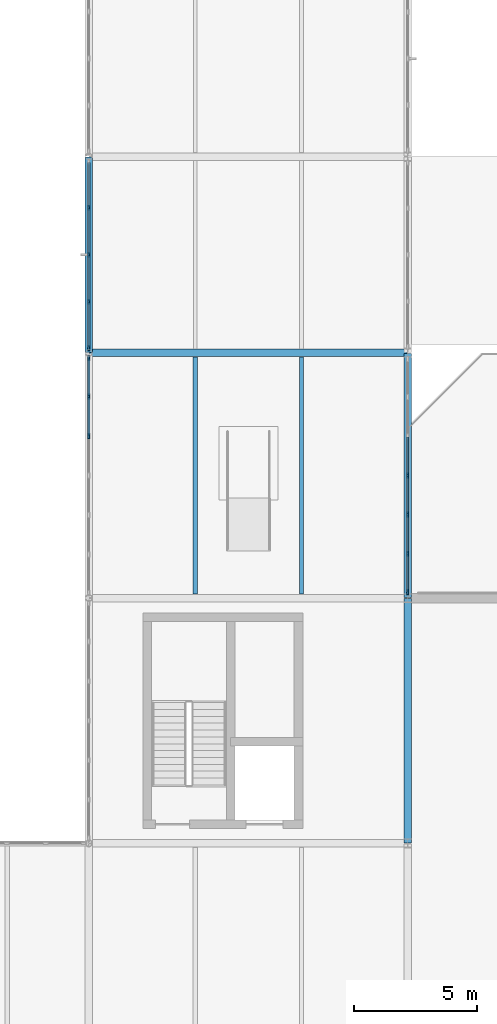
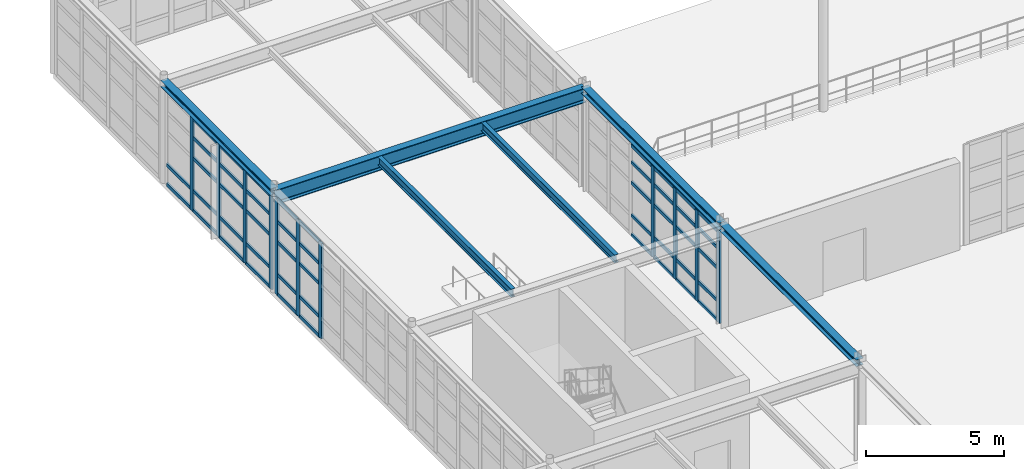
# One storey, part 50 of 139: 58 members, 6 beams, 3 elements without a shape of their own.
"""IFC4 building model written with IfcOpenShell, lengths in metres."""

import ifcopenshell
import ifcopenshell.guid

model = None  # the IFC model being written
_history = None  # IfcOwnerHistory: only IFC2X3 demands one
_inside = {}  # id of a spatial element -> (the spatial element, [elements in it])
_under = {}  # id of a project, library or spatial element -> (it, [spatial elements below it])
_declared = {}  # id of a project -> (the project, [libraries it declares])
_typed = {}  # id of a type object -> (the type object, [elements of that type])
_made_of = {}  # id of a material, layer set ... -> (it, [elements and type objects made of it])


def new_model(schema):
    """Start an empty IFC model of exactly this schema.

    Asked for "IFC4X3", IfcOpenShell would pick the latest addendum, in which some entities
    have other attributes; the version numbers below select the first issue.
    IFC2X3 requires an IfcOwnerHistory on every rooted entity: one is made here for all.
    """
    global model, _history
    if schema == "IFC4X3":
        model = ifcopenshell.file(schema_version=(4, 3, 0, 0))
    else:
        model = ifcopenshell.file(schema=schema)
    _inside.clear()
    _under.clear()
    _declared.clear()
    _typed.clear()
    _made_of.clear()
    _history = None
    if model.schema == "IFC2X3":
        org = make("IfcOrganization", Name="unknown")
        user = make(
            "IfcPersonAndOrganization",
            ThePerson=make("IfcPerson", FamilyName="unknown"),
            TheOrganization=org,
        )
        app = make(
            "IfcApplication",
            ApplicationDeveloper=org,
            Version="unknown",
            ApplicationFullName="unknown",
            ApplicationIdentifier="unknown",
        )
        _history = make(
            "IfcOwnerHistory",
            OwningUser=user,
            OwningApplication=app,
            ChangeAction="ADDED",
            CreationDate=0,
        )
    return model


def make(cls, **values):
    """One entity of the class cls with the attributes given. An attribute that is None is left unset."""
    return model.create_entity(
        cls, **{name: value for name, value in values.items() if value is not None}
    )


def rooted(cls, **values):
    """An entity with a GlobalId (a new one), such as an element, a storey or a relation."""
    return make(cls, GlobalId=ifcopenshell.guid.new(), OwnerHistory=_history, **values)


def si_unit(unit_type, name, prefix=None):
    """IfcSIUnit, for example si_unit("LENGTHUNIT", "METRE", prefix="MILLI")."""
    return make("IfcSIUnit", UnitType=unit_type, Prefix=prefix, Name=name)


def assignment(units):
    """IfcUnitAssignment: the units of a project."""
    return None if units is None else make("IfcUnitAssignment", Units=units)


def point(xyz):
    """IfcCartesianPoint."""
    return None if xyz is None else make("IfcCartesianPoint", Coordinates=xyz)


def direction(xyz):
    """IfcDirection."""
    return None if xyz is None else make("IfcDirection", DirectionRatios=xyz)


def frame(location, z_axis=None, x_axis=None):
    """IfcAxis2Placement3D, a coordinate frame: its origin and axes. An axis left out is left unset."""
    return make(
        "IfcAxis2Placement3D",
        Location=point(location),
        Axis=direction(z_axis),
        RefDirection=direction(x_axis),
    )


def frame_2d(location, x_axis=None):
    """IfcAxis2Placement2D, a coordinate frame in the plane: its origin and x axis."""
    return make(
        "IfcAxis2Placement2D", Location=point(location), RefDirection=direction(x_axis)
    )


def origin():
    """The frame at (0, 0, 0) with its axes left unset."""
    return frame((0.0, 0.0, 0.0))


def origin_2d():
    """The frame at (0, 0) in the plane with its x axis left unset."""
    return frame_2d((0.0, 0.0))


def place(relative_to, where):
    """IfcLocalPlacement: puts the frame where relative to a parent placement (None: the world)."""
    return make(
        "IfcLocalPlacement", PlacementRelTo=relative_to, RelativePlacement=where
    )


def context(
    kind, dimensions, precision=None, world=None, true_north=None, identifier=None
):
    """IfcGeometricRepresentationContext, for example the 3D "Model" context."""
    return make(
        "IfcGeometricRepresentationContext",
        ContextIdentifier=identifier,
        ContextType=kind,
        CoordinateSpaceDimension=dimensions,
        Precision=precision,
        WorldCoordinateSystem=world,
        TrueNorth=true_north,
    )


def subcontext(parent, identifier, kind, view, scale=None):
    """IfcGeometricRepresentationSubContext, for example "Body" below "Model"."""
    return make(
        "IfcGeometricRepresentationSubContext",
        ContextIdentifier=identifier,
        ContextType=kind,
        ParentContext=parent,
        TargetScale=scale,
        TargetView=view,
    )


def project(units=None, contexts=None):
    """IfcProject with its units and contexts."""
    return rooted(
        "IfcProject",
        Name="project",
        RepresentationContexts=contexts,
        UnitsInContext=assignment(units),
    )


def spatial(cls, under=None, at=None, **own):
    """A site, building, storey or space (cls), placed at a placement, below another one or the project."""
    s = rooted(cls, ObjectPlacement=at, **own)
    if under is not None:
        _under.setdefault(under.id(), (under, []))[1].append(s)
    return s


def profile(cls, at=None, kind="AREA", **sizes):
    """A parametric profile (cls). Its sizes go by their IFC names, for example OverallWidth=200.0."""
    return make(cls, ProfileType=kind, Position=at, **sizes)


def rectangle(**sizes):
    """IfcRectangleProfileDef."""
    return profile("IfcRectangleProfileDef", **sizes)


def i_section(**sizes):
    """IfcIShapeProfileDef."""
    return profile("IfcIShapeProfileDef", **sizes)


def extrude(swept, where, along, depth):
    """IfcExtrudedAreaSolid: the profile swept, set in the frame where, extruded along a direction by depth."""
    return make(
        "IfcExtrudedAreaSolid",
        SweptArea=swept,
        Position=where,
        ExtrudedDirection=direction(along),
        Depth=depth,
    )


def shape(context_of_items, identifier, shape_type, items):
    """IfcShapeRepresentation: the items that make up one representation, for example the "Body"."""
    return make(
        "IfcShapeRepresentation",
        ContextOfItems=context_of_items,
        RepresentationIdentifier=identifier,
        RepresentationType=shape_type,
        Items=items,
    )


def material(Name=None, Category=None):
    """IfcMaterial."""
    return make("IfcMaterial", Name=Name, Category=Category)


def layer(
    of_material, thickness, ventilated=None, Name=None, Category=None, Priority=None
):
    """IfcMaterialLayer: one layer of a wall or slab, of a material (None: an air gap)."""
    return make(
        "IfcMaterialLayer",
        Material=of_material,
        LayerThickness=thickness,
        IsVentilated=ventilated,
        Name=Name,
        Category=Category,
        Priority=Priority,
    )


def layer_set(layers, Name=None):
    """IfcMaterialLayerSet."""
    return make("IfcMaterialLayerSet", MaterialLayers=layers, LayerSetName=Name)


def material_profile(
    of_material, cross_section, Name=None, Category=None, Priority=None
):
    """IfcMaterialProfile: a cross section and its material."""
    return make(
        "IfcMaterialProfile",
        Name=Name,
        Material=of_material,
        Profile=cross_section,
        Priority=Priority,
        Category=Category,
    )


def profile_set(profiles, Name=None, composite=None):
    """IfcMaterialProfileSet."""
    return make(
        "IfcMaterialProfileSet",
        Name=Name,
        MaterialProfiles=profiles,
        CompositeProfile=composite,
    )


def made_of(thing, what):
    """Note that an element or type object is made of a material, layer set ...; save() writes the relation."""
    if what is not None:
        _made_of.setdefault(what.id(), (what, []))[1].append(thing)
    return thing


def type_object(cls, material=None, **own):
    """A type object (cls), such as IfcWallType, which elements share."""
    return made_of(rooted(cls, **own), material)


def element(
    cls,
    number,
    at=None,
    inside=None,
    cuts=None,
    type_object=None,
    material=None,
    context=None,
    identifier="Body",
    shape_type=None,
    held_by="IfcProductDefinitionShape",
    body=None,
    shapes=None,
    **own,
):
    """One element of the class cls, such as IfcWall. Its Tag is "e" and its number.

    at: its placement. inside: the storey or other place that contains it. cuts: it is an
    opening in that element (IfcRelVoidsElement). A single representation is given by context,
    identifier, shape_type and body (its items); several are given by shapes. held_by: the class
    of the entity that holds the representations. save() writes the other relations.
    """
    e = rooted(cls, Tag="e%d" % number, ObjectPlacement=at, **own)
    if body is not None:
        shapes = [shape(context, identifier, shape_type, body)]
    if shapes is not None:
        e.Representation = make(held_by, Representations=shapes)
    if inside is not None:
        _inside.setdefault(inside.id(), (inside, []))[1].append(e)
    if cuts is not None:
        rooted(
            "IfcRelVoidsElement", RelatingBuildingElement=cuts, RelatedOpeningElement=e
        )
    if type_object is not None:
        _typed.setdefault(type_object.id(), (type_object, []))[1].append(e)
    return made_of(e, material)


def aggregate(whole, parts):
    """IfcRelAggregates: a whole, such as a stair, and the parts it consists of."""
    return rooted("IfcRelAggregates", RelatingObject=whole, RelatedObjects=parts)


def save(model, path):
    """Write the relations noted so far, then the file.

    IfcRelAggregates (storeys below a building ...), IfcRelContainedInSpatialStructure (elements
    in a storey), IfcRelDefinesByType, IfcRelAssociatesMaterial and IfcRelDeclares: one each for
    every whole, place, type object, material and project.
    """
    for whole, parts in _under.values():
        aggregate(whole, parts)
    for where, things in _inside.values():
        rooted(
            "IfcRelContainedInSpatialStructure",
            RelatedElements=things,
            RelatingStructure=where,
        )
    for kind, things in _typed.values():
        rooted("IfcRelDefinesByType", RelatedObjects=things, RelatingType=kind)
    for what, things in _made_of.values():
        rooted("IfcRelAssociatesMaterial", RelatedObjects=things, RelatingMaterial=what)
    for by, libraries in _declared.values():
        rooted("IfcRelDeclares", RelatingContext=by, RelatedDefinitions=libraries)
    model.write(path)


model = new_model("IFC4")

# Units and contexts
model_context = context("Model", 3, precision=1e-05, world=origin(), true_north=direction((0.0, 1.0)))
body_context = subcontext(model_context, "Body", "Model", "MODEL_VIEW")
ifc_project = project(units=[si_unit("LENGTHUNIT", "METRE"), si_unit("AREAUNIT", "SQUARE_METRE"), si_unit("VOLUMEUNIT", "CUBIC_METRE"), si_unit("PLANEANGLEUNIT", "RADIAN"), si_unit("MASSUNIT", "GRAM", prefix="KILO"), si_unit("THERMODYNAMICTEMPERATUREUNIT", "KELVIN"), si_unit("POWERUNIT", "WATT")], contexts=[model_context])

# Site, building, storey
site_placement = place(None, origin())
site = spatial("IfcSite", under=ifc_project, at=site_placement, CompositionType="ELEMENT")
building_placement = place(site_placement, origin())
building = spatial("IfcBuilding", under=site, at=building_placement, Name="Korenveer Ferry Terminal", CompositionType="ELEMENT")
storey_placement = place(building_placement, frame((0.0, 0.0, 5.39990234375)))
storey = spatial("IfcBuildingStorey", under=building, at=storey_placement, Name="L01", CompositionType="ELEMENT", Elevation=5.39990234375)

# Curtain wall, members
ifc_material_1 = material(Name="Unitised bronze-and-glass curtain wall", Category="glass")
ifc_layer_1 = layer(ifc_material_1, 0.219970703125)
ifc_layer_set_1 = layer_set([ifc_layer_1], Name="Unitised bronze-and-glass curtain wall")
curtain_wall_type_1 = type_object("IfcCurtainWallType", Name="ENV-CW-65", PredefinedType="USERDEFINED", material=ifc_layer_set_1)
curtain_wall_1_placement = place(storey_placement, frame((40.0, 90.16650390625, 0.0)))
curtain_wall_1 = element("IfcCurtainWall", 1, at=curtain_wall_1_placement, inside=storey, type_object=curtain_wall_type_1, Name="Lancet curtain wall CWX-L01-X40-40-Y90-100", ObjectType="UNITISED CURTAIN WALL", PredefinedType="USERDEFINED")
ifc_material_2 = material(Name="Anodised bronze aluminium", Category="aluminium")
ifc_material_profile_1 = material_profile(ifc_material_2, rectangle(XDim=0.074951171875, YDim=0.219970703125, at=origin_2d()), Name="ALU 75x220")
ifc_profile_set_1 = profile_set([ifc_material_profile_1], Name="Anodised bronze aluminium")
member_type_1 = type_object("IfcMemberType", Name="ENV-CWM-75X220", PredefinedType="MULLION", material=ifc_profile_set_1)
member_1_placement = place(storey_placement, frame((40.0, 96.611083984375, 0.0), z_axis=(0.0, 0.0, 1.0), x_axis=(-1.0, 0.0, 0.0)))
member_1 = element("IfcMember", 2, at=member_1_placement, type_object=member_type_1, Name="CW-65 mullion 5", PredefinedType="MULLION", context=body_context, shape_type="SweptSolid", body=[
    extrude(rectangle(XDim=0.074951171875, YDim=0.219970703125, at=origin_2d()), origin(), (0.0, 0.0, 1.0), 4.22998046875),
])
member_2_placement = place(storey_placement, frame((40.0, 98.222412109375, 0.0), z_axis=(0.0, 0.0, 1.0), x_axis=(-1.0, 0.0, 0.0)))
member_2 = element("IfcMember", 3, at=member_2_placement, type_object=member_type_1, Name="CW-65 mullion 6", PredefinedType="MULLION", context=body_context, shape_type="SweptSolid", body=[
    extrude(rectangle(XDim=0.074951171875, YDim=0.219970703125, at=origin_2d()), origin(), (0.0, 0.0, 1.0), 4.22998046875),
])
member_3_placement = place(storey_placement, frame((40.0, 99.7958984375, 0.0), z_axis=(0.0, 0.0, 1.0), x_axis=(-1.0, 0.0, 0.0)))
member_3 = element("IfcMember", 4, at=member_3_placement, type_object=member_type_1, Name="CW-65 mullion 7", PredefinedType="MULLION", context=body_context, shape_type="SweptSolid", body=[
    extrude(rectangle(XDim=0.074951171875, YDim=0.219970703125, at=origin_2d()), origin(), (0.0, 0.0, 1.0), 4.22998046875),
])

ifc_layer_2 = layer(ifc_material_1, 0.219970703125)
ifc_layer_set_2 = layer_set([ifc_layer_2], Name="Unitised bronze-and-glass curtain wall")
curtain_wall_type_2 = type_object("IfcCurtainWallType", Name="ENV-CW-66", PredefinedType="USERDEFINED", material=ifc_layer_set_2)
curtain_wall_2_placement = place(storey_placement, frame((40.0, 100.16650390625, 0.0)))
curtain_wall_2 = element("IfcCurtainWall", 5, at=curtain_wall_2_placement, inside=storey, type_object=curtain_wall_type_2, Name="Lancet curtain wall CWX-L01-X40-40-Y100-108", ObjectType="UNITISED CURTAIN WALL", PredefinedType="USERDEFINED")
member_4_placement = place(storey_placement, frame((40.0, 100.2041015625, 0.0), z_axis=(0.0, 0.0, 1.0), x_axis=(-1.0, 0.0, 0.0)))
member_4 = element("IfcMember", 6, at=member_4_placement, type_object=member_type_1, Name="CW-66 mullion 1", PredefinedType="MULLION", context=body_context, shape_type="SweptSolid", body=[
    extrude(rectangle(XDim=0.074951171875, YDim=0.219970703125, at=origin_2d()), origin(), (0.0, 0.0, 1.0), 4.130126953125),
])
member_5_placement = place(storey_placement, frame((40.0, 102.083251953125, 0.0), z_axis=(0.0, 0.0, 1.0), x_axis=(-1.0, 0.0, 0.0)))
member_5 = element("IfcMember", 7, at=member_5_placement, type_object=member_type_1, Name="CW-66 mullion 2", PredefinedType="MULLION", context=body_context, shape_type="SweptSolid", body=[
    extrude(rectangle(XDim=0.074951171875, YDim=0.219970703125, at=origin_2d()), origin(), (0.0, 0.0, 1.0), 4.130126953125),
])
member_6_placement = place(storey_placement, frame((40.0, 104.0, 0.0), z_axis=(0.0, 0.0, 1.0), x_axis=(-1.0, 0.0, 0.0)))
member_6 = element("IfcMember", 8, at=member_6_placement, type_object=member_type_1, Name="CW-66 mullion 3", PredefinedType="MULLION", context=body_context, shape_type="SweptSolid", body=[
    extrude(rectangle(XDim=0.074951171875, YDim=0.219970703125, at=origin_2d()), origin(), (0.0, 0.0, 1.0), 4.130126953125),
])
member_7_placement = place(storey_placement, frame((40.0, 105.916748046875, 0.0), z_axis=(0.0, 0.0, 1.0), x_axis=(-1.0, 0.0, 0.0)))
member_7 = element("IfcMember", 9, at=member_7_placement, type_object=member_type_1, Name="CW-66 mullion 4", PredefinedType="MULLION", context=body_context, shape_type="SweptSolid", body=[
    extrude(rectangle(XDim=0.074951171875, YDim=0.219970703125, at=origin_2d()), origin(), (0.0, 0.0, 1.0), 4.130126953125),
])

ifc_layer_3 = layer(ifc_material_1, 0.219970703125)
ifc_layer_set_3 = layer_set([ifc_layer_3], Name="Unitised bronze-and-glass curtain wall")
curtain_wall_type_3 = type_object("IfcCurtainWallType", Name="ENV-CW-70", PredefinedType="USERDEFINED", material=ifc_layer_set_3)
curtain_wall_3_placement = place(storey_placement, frame((53.0, 99.7900390625, 0.0)))
curtain_wall_3 = element("IfcCurtainWall", 10, at=curtain_wall_3_placement, inside=storey, type_object=curtain_wall_type_3, Name="Lancet curtain wall CWX-L01-X53-53-Y90-100", ObjectType="UNITISED CURTAIN WALL", PredefinedType="USERDEFINED")
member_8_placement = place(storey_placement, frame((53.0, 95.0, 0.0), z_axis=(0.0, 0.0, 1.0), x_axis=(1.0, 0.0, 0.0)))
member_8 = element("IfcMember", 11, at=member_8_placement, type_object=member_type_1, Name="CW-70 mullion 4", PredefinedType="MULLION", context=body_context, shape_type="SweptSolid", body=[
    extrude(rectangle(XDim=0.074951171875, YDim=0.219970703125, at=origin_2d()), origin(), (0.0, 0.0, 1.0), 4.030029296875),
])
member_9_placement = place(storey_placement, frame((53.0, 93.4033203125, 0.0), z_axis=(0.0, 0.0, 1.0), x_axis=(1.0, 0.0, 0.0)))
member_9 = element("IfcMember", 12, at=member_9_placement, type_object=member_type_1, Name="CW-70 mullion 5", PredefinedType="MULLION", context=body_context, shape_type="SweptSolid", body=[
    extrude(rectangle(XDim=0.074951171875, YDim=0.219970703125, at=origin_2d()), origin(), (0.0, 0.0, 1.0), 4.030029296875),
])
member_10_placement = place(storey_placement, frame((53.0, 91.806640625, 0.0), z_axis=(0.0, 0.0, 1.0), x_axis=(1.0, 0.0, 0.0)))
member_10 = element("IfcMember", 13, at=member_10_placement, type_object=member_type_1, Name="CW-70 mullion 6", PredefinedType="MULLION", context=body_context, shape_type="SweptSolid", body=[
    extrude(rectangle(XDim=0.074951171875, YDim=0.219970703125, at=origin_2d()), origin(), (0.0, 0.0, 1.0), 4.030029296875),
])
member_11_placement = place(storey_placement, frame((53.0, 90.24755859375, 0.0), z_axis=(0.0, 0.0, 1.0), x_axis=(1.0, 0.0, 0.0)))
member_11 = element("IfcMember", 14, at=member_11_placement, type_object=member_type_1, Name="CW-70 mullion 7", PredefinedType="MULLION", context=body_context, shape_type="SweptSolid", body=[
    extrude(rectangle(XDim=0.074951171875, YDim=0.219970703125, at=origin_2d()), origin(), (0.0, 0.0, 1.0), 4.030029296875),
])

# Member
ifc_material_profile_2 = material_profile(ifc_material_2, rectangle(XDim=0.074951171875, YDim=0.14990234375, at=origin_2d()), Name="ALU 75x150")
ifc_profile_set_2 = profile_set([ifc_material_profile_2], Name="Anodised bronze aluminium")
member_type_2 = type_object("IfcMemberType", Name="ENV-CWT-75X150", PredefinedType="USERDEFINED", material=ifc_profile_set_2)
member_12_placement = place(storey_placement, frame((40.0, 96.648681640625, 0.03759765625), z_axis=(0.0, 1.0, 0.0), x_axis=(-1.0, 0.0, 0.0)))
member_12 = element("IfcMember", 15, at=member_12_placement, type_object=member_type_2, Name="CW-65 transom 5.1", ObjectType="TRANSOM", PredefinedType="USERDEFINED", context=body_context, shape_type="SweptSolid", body=[
    extrude(rectangle(XDim=0.074951171875, YDim=0.14990234375, at=origin_2d()), origin(), (0.0, 0.0, 1.0), 1.5361328125),
])

member_13_placement = place(storey_placement, frame((40.0, 96.648681640625, 0.900146484375), z_axis=(0.0, 1.0, 0.0), x_axis=(-1.0, 0.0, 0.0)))
member_13 = element("IfcMember", 16, at=member_13_placement, type_object=member_type_2, Name="CW-65 transom 5.2", ObjectType="TRANSOM", PredefinedType="USERDEFINED", context=body_context, shape_type="SweptSolid", body=[
    extrude(rectangle(XDim=0.074951171875, YDim=0.14990234375, at=origin_2d()), origin(), (0.0, 0.0, 1.0), 1.5361328125),
])

member_14_placement = place(storey_placement, frame((40.0, 96.648681640625, 2.35009765625), z_axis=(0.0, 1.0, 0.0), x_axis=(-1.0, 0.0, 0.0)))
member_14 = element("IfcMember", 17, at=member_14_placement, type_object=member_type_2, Name="CW-65 transom 5.3", ObjectType="TRANSOM", PredefinedType="USERDEFINED", context=body_context, shape_type="SweptSolid", body=[
    extrude(rectangle(XDim=0.074951171875, YDim=0.14990234375, at=origin_2d()), origin(), (0.0, 0.0, 1.0), 1.5361328125),
])

member_15_placement = place(storey_placement, frame((40.0, 96.648681640625, 3.25), z_axis=(0.0, 1.0, 0.0), x_axis=(-1.0, 0.0, 0.0)))
member_15 = element("IfcMember", 18, at=member_15_placement, type_object=member_type_2, Name="CW-65 transom 5.4", ObjectType="TRANSOM", PredefinedType="USERDEFINED", context=body_context, shape_type="SweptSolid", body=[
    extrude(rectangle(XDim=0.074951171875, YDim=0.14990234375, at=origin_2d()), origin(), (0.0, 0.0, 1.0), 1.5361328125),
])

member_16_placement = place(storey_placement, frame((40.0, 96.648681640625, 4.192626953125), z_axis=(0.0, 1.0, 0.0), x_axis=(-1.0, 0.0, 0.0)))
member_16 = element("IfcMember", 19, at=member_16_placement, type_object=member_type_2, Name="CW-65 transom 5.5", ObjectType="TRANSOM", PredefinedType="USERDEFINED", context=body_context, shape_type="SweptSolid", body=[
    extrude(rectangle(XDim=0.074951171875, YDim=0.14990234375, at=origin_2d()), origin(), (0.0, 0.0, 1.0), 1.5361328125),
])

member_17_placement = place(storey_placement, frame((40.0, 98.259765625, 0.03759765625), z_axis=(0.0, 1.0, 0.0), x_axis=(-1.0, 0.0, 0.0)))
member_17 = element("IfcMember", 20, at=member_17_placement, type_object=member_type_2, Name="CW-65 transom 6.1", ObjectType="TRANSOM", PredefinedType="USERDEFINED", context=body_context, shape_type="SweptSolid", body=[
    extrude(rectangle(XDim=0.074951171875, YDim=0.14990234375, at=origin_2d()), origin(), (0.0, 0.0, 1.0), 1.498779296875),
])

member_18_placement = place(storey_placement, frame((40.0, 98.259765625, 0.900146484375), z_axis=(0.0, 1.0, 0.0), x_axis=(-1.0, 0.0, 0.0)))
member_18 = element("IfcMember", 21, at=member_18_placement, type_object=member_type_2, Name="CW-65 transom 6.2", ObjectType="TRANSOM", PredefinedType="USERDEFINED", context=body_context, shape_type="SweptSolid", body=[
    extrude(rectangle(XDim=0.074951171875, YDim=0.14990234375, at=origin_2d()), origin(), (0.0, 0.0, 1.0), 1.498779296875),
])

member_19_placement = place(storey_placement, frame((40.0, 98.259765625, 2.35009765625), z_axis=(0.0, 1.0, 0.0), x_axis=(-1.0, 0.0, 0.0)))
member_19 = element("IfcMember", 22, at=member_19_placement, type_object=member_type_2, Name="CW-65 transom 6.3", ObjectType="TRANSOM", PredefinedType="USERDEFINED", context=body_context, shape_type="SweptSolid", body=[
    extrude(rectangle(XDim=0.074951171875, YDim=0.14990234375, at=origin_2d()), origin(), (0.0, 0.0, 1.0), 1.498779296875),
])

member_20_placement = place(storey_placement, frame((40.0, 98.259765625, 3.25), z_axis=(0.0, 1.0, 0.0), x_axis=(-1.0, 0.0, 0.0)))
member_20 = element("IfcMember", 23, at=member_20_placement, type_object=member_type_2, Name="CW-65 transom 6.4", ObjectType="TRANSOM", PredefinedType="USERDEFINED", context=body_context, shape_type="SweptSolid", body=[
    extrude(rectangle(XDim=0.074951171875, YDim=0.14990234375, at=origin_2d()), origin(), (0.0, 0.0, 1.0), 1.498779296875),
])

member_21_placement = place(storey_placement, frame((40.0, 98.259765625, 4.192626953125), z_axis=(0.0, 1.0, 0.0), x_axis=(-1.0, 0.0, 0.0)))
member_21 = element("IfcMember", 24, at=member_21_placement, type_object=member_type_2, Name="CW-65 transom 6.5", ObjectType="TRANSOM", PredefinedType="USERDEFINED", context=body_context, shape_type="SweptSolid", body=[
    extrude(rectangle(XDim=0.074951171875, YDim=0.14990234375, at=origin_2d()), origin(), (0.0, 0.0, 1.0), 1.498779296875),
])

aggregate(curtain_wall_1, [member_1, member_2, member_3, member_12, member_13, member_14, member_15, member_16, member_17, member_18, member_19, member_20, member_21])

member_22_placement = place(storey_placement, frame((40.0, 100.241455078125, 0.03759765625), z_axis=(0.0, 1.0, 0.0), x_axis=(-1.0, 0.0, 0.0)))
member_22 = element("IfcMember", 25, at=member_22_placement, type_object=member_type_2, Name="CW-66 transom 1.1", ObjectType="TRANSOM", PredefinedType="USERDEFINED", context=body_context, shape_type="SweptSolid", body=[
    extrude(rectangle(XDim=0.074951171875, YDim=0.14990234375, at=origin_2d()), origin(), (0.0, 0.0, 1.0), 1.80419921875),
])

member_23_placement = place(storey_placement, frame((40.0, 100.241455078125, 0.900146484375), z_axis=(0.0, 1.0, 0.0), x_axis=(-1.0, 0.0, 0.0)))
member_23 = element("IfcMember", 26, at=member_23_placement, type_object=member_type_2, Name="CW-66 transom 1.2", ObjectType="TRANSOM", PredefinedType="USERDEFINED", context=body_context, shape_type="SweptSolid", body=[
    extrude(rectangle(XDim=0.074951171875, YDim=0.14990234375, at=origin_2d()), origin(), (0.0, 0.0, 1.0), 1.80419921875),
])

member_24_placement = place(storey_placement, frame((40.0, 100.241455078125, 2.35009765625), z_axis=(0.0, 1.0, 0.0), x_axis=(-1.0, 0.0, 0.0)))
member_24 = element("IfcMember", 27, at=member_24_placement, type_object=member_type_2, Name="CW-66 transom 1.3", ObjectType="TRANSOM", PredefinedType="USERDEFINED", context=body_context, shape_type="SweptSolid", body=[
    extrude(rectangle(XDim=0.074951171875, YDim=0.14990234375, at=origin_2d()), origin(), (0.0, 0.0, 1.0), 1.80419921875),
])

member_25_placement = place(storey_placement, frame((40.0, 100.241455078125, 3.25), z_axis=(0.0, 1.0, 0.0), x_axis=(-1.0, 0.0, 0.0)))
member_25 = element("IfcMember", 28, at=member_25_placement, type_object=member_type_2, Name="CW-66 transom 1.4", ObjectType="TRANSOM", PredefinedType="USERDEFINED", context=body_context, shape_type="SweptSolid", body=[
    extrude(rectangle(XDim=0.074951171875, YDim=0.14990234375, at=origin_2d()), origin(), (0.0, 0.0, 1.0), 1.80419921875),
])

member_26_placement = place(storey_placement, frame((40.0, 100.241455078125, 4.092529296875), z_axis=(0.0, 1.0, 0.0), x_axis=(-1.0, 0.0, 0.0)))
member_26 = element("IfcMember", 29, at=member_26_placement, type_object=member_type_2, Name="CW-66 transom 1.5", ObjectType="TRANSOM", PredefinedType="USERDEFINED", context=body_context, shape_type="SweptSolid", body=[
    extrude(rectangle(XDim=0.074951171875, YDim=0.14990234375, at=origin_2d()), origin(), (0.0, 0.0, 1.0), 1.80419921875),
])

member_27_placement = place(storey_placement, frame((40.0, 102.120849609375, 0.03759765625), z_axis=(0.0, 1.0, 0.0), x_axis=(-1.0, 0.0, 0.0)))
member_27 = element("IfcMember", 30, at=member_27_placement, type_object=member_type_2, Name="CW-66 transom 2.1", ObjectType="TRANSOM", PredefinedType="USERDEFINED", context=body_context, shape_type="SweptSolid", body=[
    extrude(rectangle(XDim=0.074951171875, YDim=0.14990234375, at=origin_2d()), origin(), (0.0, 0.0, 1.0), 1.841552734375),
])

member_28_placement = place(storey_placement, frame((40.0, 102.120849609375, 0.900146484375), z_axis=(0.0, 1.0, 0.0), x_axis=(-1.0, 0.0, 0.0)))
member_28 = element("IfcMember", 31, at=member_28_placement, type_object=member_type_2, Name="CW-66 transom 2.2", ObjectType="TRANSOM", PredefinedType="USERDEFINED", context=body_context, shape_type="SweptSolid", body=[
    extrude(rectangle(XDim=0.074951171875, YDim=0.14990234375, at=origin_2d()), origin(), (0.0, 0.0, 1.0), 1.841552734375),
])

member_29_placement = place(storey_placement, frame((40.0, 102.120849609375, 2.35009765625), z_axis=(0.0, 1.0, 0.0), x_axis=(-1.0, 0.0, 0.0)))
member_29 = element("IfcMember", 32, at=member_29_placement, type_object=member_type_2, Name="CW-66 transom 2.3", ObjectType="TRANSOM", PredefinedType="USERDEFINED", context=body_context, shape_type="SweptSolid", body=[
    extrude(rectangle(XDim=0.074951171875, YDim=0.14990234375, at=origin_2d()), origin(), (0.0, 0.0, 1.0), 1.841552734375),
])

member_30_placement = place(storey_placement, frame((40.0, 102.120849609375, 3.25), z_axis=(0.0, 1.0, 0.0), x_axis=(-1.0, 0.0, 0.0)))
member_30 = element("IfcMember", 33, at=member_30_placement, type_object=member_type_2, Name="CW-66 transom 2.4", ObjectType="TRANSOM", PredefinedType="USERDEFINED", context=body_context, shape_type="SweptSolid", body=[
    extrude(rectangle(XDim=0.074951171875, YDim=0.14990234375, at=origin_2d()), origin(), (0.0, 0.0, 1.0), 1.841552734375),
])

member_31_placement = place(storey_placement, frame((40.0, 102.120849609375, 4.092529296875), z_axis=(0.0, 1.0, 0.0), x_axis=(-1.0, 0.0, 0.0)))
member_31 = element("IfcMember", 34, at=member_31_placement, type_object=member_type_2, Name="CW-66 transom 2.5", ObjectType="TRANSOM", PredefinedType="USERDEFINED", context=body_context, shape_type="SweptSolid", body=[
    extrude(rectangle(XDim=0.074951171875, YDim=0.14990234375, at=origin_2d()), origin(), (0.0, 0.0, 1.0), 1.841552734375),
])

member_32_placement = place(storey_placement, frame((40.0, 104.03759765625, 0.03759765625), z_axis=(0.0, 1.0, 0.0), x_axis=(-1.0, 0.0, 0.0)))
member_32 = element("IfcMember", 35, at=member_32_placement, type_object=member_type_2, Name="CW-66 transom 3.1", ObjectType="TRANSOM", PredefinedType="USERDEFINED", context=body_context, shape_type="SweptSolid", body=[
    extrude(rectangle(XDim=0.074951171875, YDim=0.14990234375, at=origin_2d()), origin(), (0.0, 0.0, 1.0), 1.841552734375),
])

member_33_placement = place(storey_placement, frame((40.0, 104.03759765625, 0.900146484375), z_axis=(0.0, 1.0, 0.0), x_axis=(-1.0, 0.0, 0.0)))
member_33 = element("IfcMember", 36, at=member_33_placement, type_object=member_type_2, Name="CW-66 transom 3.2", ObjectType="TRANSOM", PredefinedType="USERDEFINED", context=body_context, shape_type="SweptSolid", body=[
    extrude(rectangle(XDim=0.074951171875, YDim=0.14990234375, at=origin_2d()), origin(), (0.0, 0.0, 1.0), 1.841552734375),
])

member_34_placement = place(storey_placement, frame((40.0, 104.03759765625, 2.35009765625), z_axis=(0.0, 1.0, 0.0), x_axis=(-1.0, 0.0, 0.0)))
member_34 = element("IfcMember", 37, at=member_34_placement, type_object=member_type_2, Name="CW-66 transom 3.3", ObjectType="TRANSOM", PredefinedType="USERDEFINED", context=body_context, shape_type="SweptSolid", body=[
    extrude(rectangle(XDim=0.074951171875, YDim=0.14990234375, at=origin_2d()), origin(), (0.0, 0.0, 1.0), 1.841552734375),
])

member_35_placement = place(storey_placement, frame((40.0, 104.03759765625, 3.25), z_axis=(0.0, 1.0, 0.0), x_axis=(-1.0, 0.0, 0.0)))
member_35 = element("IfcMember", 38, at=member_35_placement, type_object=member_type_2, Name="CW-66 transom 3.4", ObjectType="TRANSOM", PredefinedType="USERDEFINED", context=body_context, shape_type="SweptSolid", body=[
    extrude(rectangle(XDim=0.074951171875, YDim=0.14990234375, at=origin_2d()), origin(), (0.0, 0.0, 1.0), 1.841552734375),
])

member_36_placement = place(storey_placement, frame((40.0, 104.03759765625, 4.092529296875), z_axis=(0.0, 1.0, 0.0), x_axis=(-1.0, 0.0, 0.0)))
member_36 = element("IfcMember", 39, at=member_36_placement, type_object=member_type_2, Name="CW-66 transom 3.5", ObjectType="TRANSOM", PredefinedType="USERDEFINED", context=body_context, shape_type="SweptSolid", body=[
    extrude(rectangle(XDim=0.074951171875, YDim=0.14990234375, at=origin_2d()), origin(), (0.0, 0.0, 1.0), 1.841552734375),
])

member_37_placement = place(storey_placement, frame((40.0, 105.954345703125, 0.03759765625), z_axis=(0.0, 1.0, 0.0), x_axis=(-1.0, 0.0, 0.0)))
member_37 = element("IfcMember", 40, at=member_37_placement, type_object=member_type_2, Name="CW-66 transom 4.1", ObjectType="TRANSOM", PredefinedType="USERDEFINED", context=body_context, shape_type="SweptSolid", body=[
    extrude(rectangle(XDim=0.074951171875, YDim=0.14990234375, at=origin_2d()), origin(), (0.0, 0.0, 1.0), 1.80419921875),
])

member_38_placement = place(storey_placement, frame((40.0, 105.954345703125, 0.900146484375), z_axis=(0.0, 1.0, 0.0), x_axis=(-1.0, 0.0, 0.0)))
member_38 = element("IfcMember", 41, at=member_38_placement, type_object=member_type_2, Name="CW-66 transom 4.2", ObjectType="TRANSOM", PredefinedType="USERDEFINED", context=body_context, shape_type="SweptSolid", body=[
    extrude(rectangle(XDim=0.074951171875, YDim=0.14990234375, at=origin_2d()), origin(), (0.0, 0.0, 1.0), 1.80419921875),
])

aggregate(curtain_wall_2, [member_4, member_5, member_6, member_7, member_22, member_23, member_24, member_25, member_26, member_27, member_28, member_29, member_30, member_31, member_32, member_33, member_34, member_35, member_36, member_37, member_38])

member_39_placement = place(storey_placement, frame((53.0, 96.55908203125, 0.03759765625), z_axis=(0.0, -1.0, 0.0), x_axis=(1.0, 0.0, 0.0)))
member_39 = element("IfcMember", 42, at=member_39_placement, type_object=member_type_2, Name="CW-70 transom 3.1", ObjectType="TRANSOM", PredefinedType="USERDEFINED", context=body_context, shape_type="SweptSolid", body=[
    extrude(rectangle(XDim=0.074951171875, YDim=0.14990234375, at=origin_2d()), origin(), (0.0, 0.0, 1.0), 1.521484375),
])

member_40_placement = place(storey_placement, frame((53.0, 96.55908203125, 0.900146484375), z_axis=(0.0, -1.0, 0.0), x_axis=(1.0, 0.0, 0.0)))
member_40 = element("IfcMember", 43, at=member_40_placement, type_object=member_type_2, Name="CW-70 transom 3.2", ObjectType="TRANSOM", PredefinedType="USERDEFINED", context=body_context, shape_type="SweptSolid", body=[
    extrude(rectangle(XDim=0.074951171875, YDim=0.14990234375, at=origin_2d()), origin(), (0.0, 0.0, 1.0), 1.521484375),
])

member_41_placement = place(storey_placement, frame((53.0, 96.55908203125, 2.35009765625), z_axis=(0.0, -1.0, 0.0), x_axis=(1.0, 0.0, 0.0)))
member_41 = element("IfcMember", 44, at=member_41_placement, type_object=member_type_2, Name="CW-70 transom 3.3", ObjectType="TRANSOM", PredefinedType="USERDEFINED", context=body_context, shape_type="SweptSolid", body=[
    extrude(rectangle(XDim=0.074951171875, YDim=0.14990234375, at=origin_2d()), origin(), (0.0, 0.0, 1.0), 1.521484375),
])

member_42_placement = place(storey_placement, frame((53.0, 96.55908203125, 3.25), z_axis=(0.0, -1.0, 0.0), x_axis=(1.0, 0.0, 0.0)))
member_42 = element("IfcMember", 45, at=member_42_placement, type_object=member_type_2, Name="CW-70 transom 3.4", ObjectType="TRANSOM", PredefinedType="USERDEFINED", context=body_context, shape_type="SweptSolid", body=[
    extrude(rectangle(XDim=0.074951171875, YDim=0.14990234375, at=origin_2d()), origin(), (0.0, 0.0, 1.0), 1.521484375),
])

member_43_placement = place(storey_placement, frame((53.0, 96.55908203125, 3.99267578125), z_axis=(0.0, -1.0, 0.0), x_axis=(1.0, 0.0, 0.0)))
member_43 = element("IfcMember", 46, at=member_43_placement, type_object=member_type_2, Name="CW-70 transom 3.5", ObjectType="TRANSOM", PredefinedType="USERDEFINED", context=body_context, shape_type="SweptSolid", body=[
    extrude(rectangle(XDim=0.074951171875, YDim=0.14990234375, at=origin_2d()), origin(), (0.0, 0.0, 1.0), 1.521484375),
])

member_44_placement = place(storey_placement, frame((53.0, 94.96240234375, 0.03759765625), z_axis=(0.0, -1.0, 0.0), x_axis=(1.0, 0.0, 0.0)))
member_44 = element("IfcMember", 47, at=member_44_placement, type_object=member_type_2, Name="CW-70 transom 4.1", ObjectType="TRANSOM", PredefinedType="USERDEFINED", context=body_context, shape_type="SweptSolid", body=[
    extrude(rectangle(XDim=0.074951171875, YDim=0.14990234375, at=origin_2d()), origin(), (0.0, 0.0, 1.0), 1.521484375),
])

member_45_placement = place(storey_placement, frame((53.0, 94.96240234375, 0.900146484375), z_axis=(0.0, -1.0, 0.0), x_axis=(1.0, 0.0, 0.0)))
member_45 = element("IfcMember", 48, at=member_45_placement, type_object=member_type_2, Name="CW-70 transom 4.2", ObjectType="TRANSOM", PredefinedType="USERDEFINED", context=body_context, shape_type="SweptSolid", body=[
    extrude(rectangle(XDim=0.074951171875, YDim=0.14990234375, at=origin_2d()), origin(), (0.0, 0.0, 1.0), 1.521484375),
])

member_46_placement = place(storey_placement, frame((53.0, 94.96240234375, 2.35009765625), z_axis=(0.0, -1.0, 0.0), x_axis=(1.0, 0.0, 0.0)))
member_46 = element("IfcMember", 49, at=member_46_placement, type_object=member_type_2, Name="CW-70 transom 4.3", ObjectType="TRANSOM", PredefinedType="USERDEFINED", context=body_context, shape_type="SweptSolid", body=[
    extrude(rectangle(XDim=0.074951171875, YDim=0.14990234375, at=origin_2d()), origin(), (0.0, 0.0, 1.0), 1.521484375),
])

member_47_placement = place(storey_placement, frame((53.0, 94.96240234375, 3.25), z_axis=(0.0, -1.0, 0.0), x_axis=(1.0, 0.0, 0.0)))
member_47 = element("IfcMember", 50, at=member_47_placement, type_object=member_type_2, Name="CW-70 transom 4.4", ObjectType="TRANSOM", PredefinedType="USERDEFINED", context=body_context, shape_type="SweptSolid", body=[
    extrude(rectangle(XDim=0.074951171875, YDim=0.14990234375, at=origin_2d()), origin(), (0.0, 0.0, 1.0), 1.521484375),
])

member_48_placement = place(storey_placement, frame((53.0, 94.96240234375, 3.99267578125), z_axis=(0.0, -1.0, 0.0), x_axis=(1.0, 0.0, 0.0)))
member_48 = element("IfcMember", 51, at=member_48_placement, type_object=member_type_2, Name="CW-70 transom 4.5", ObjectType="TRANSOM", PredefinedType="USERDEFINED", context=body_context, shape_type="SweptSolid", body=[
    extrude(rectangle(XDim=0.074951171875, YDim=0.14990234375, at=origin_2d()), origin(), (0.0, 0.0, 1.0), 1.521484375),
])

member_49_placement = place(storey_placement, frame((53.0, 93.36572265625, 0.03759765625), z_axis=(0.0, -1.0, 0.0), x_axis=(1.0, 0.0, 0.0)))
member_49 = element("IfcMember", 52, at=member_49_placement, type_object=member_type_2, Name="CW-70 transom 5.1", ObjectType="TRANSOM", PredefinedType="USERDEFINED", context=body_context, shape_type="SweptSolid", body=[
    extrude(rectangle(XDim=0.074951171875, YDim=0.14990234375, at=origin_2d()), origin(), (0.0, 0.0, 1.0), 1.521484375),
])

member_50_placement = place(storey_placement, frame((53.0, 93.36572265625, 0.900146484375), z_axis=(0.0, -1.0, 0.0), x_axis=(1.0, 0.0, 0.0)))
member_50 = element("IfcMember", 53, at=member_50_placement, type_object=member_type_2, Name="CW-70 transom 5.2", ObjectType="TRANSOM", PredefinedType="USERDEFINED", context=body_context, shape_type="SweptSolid", body=[
    extrude(rectangle(XDim=0.074951171875, YDim=0.14990234375, at=origin_2d()), origin(), (0.0, 0.0, 1.0), 1.521484375),
])

member_51_placement = place(storey_placement, frame((53.0, 93.36572265625, 2.35009765625), z_axis=(0.0, -1.0, 0.0), x_axis=(1.0, 0.0, 0.0)))
member_51 = element("IfcMember", 54, at=member_51_placement, type_object=member_type_2, Name="CW-70 transom 5.3", ObjectType="TRANSOM", PredefinedType="USERDEFINED", context=body_context, shape_type="SweptSolid", body=[
    extrude(rectangle(XDim=0.074951171875, YDim=0.14990234375, at=origin_2d()), origin(), (0.0, 0.0, 1.0), 1.521484375),
])

member_52_placement = place(storey_placement, frame((53.0, 93.36572265625, 3.25), z_axis=(0.0, -1.0, 0.0), x_axis=(1.0, 0.0, 0.0)))
member_52 = element("IfcMember", 55, at=member_52_placement, type_object=member_type_2, Name="CW-70 transom 5.4", ObjectType="TRANSOM", PredefinedType="USERDEFINED", context=body_context, shape_type="SweptSolid", body=[
    extrude(rectangle(XDim=0.074951171875, YDim=0.14990234375, at=origin_2d()), origin(), (0.0, 0.0, 1.0), 1.521484375),
])

member_53_placement = place(storey_placement, frame((53.0, 93.36572265625, 3.99267578125), z_axis=(0.0, -1.0, 0.0), x_axis=(1.0, 0.0, 0.0)))
member_53 = element("IfcMember", 56, at=member_53_placement, type_object=member_type_2, Name="CW-70 transom 5.5", ObjectType="TRANSOM", PredefinedType="USERDEFINED", context=body_context, shape_type="SweptSolid", body=[
    extrude(rectangle(XDim=0.074951171875, YDim=0.14990234375, at=origin_2d()), origin(), (0.0, 0.0, 1.0), 1.521484375),
])

member_54_placement = place(storey_placement, frame((53.0, 91.769287109375, 0.03759765625), z_axis=(0.0, -1.0, 0.0), x_axis=(1.0, 0.0, 0.0)))
member_54 = element("IfcMember", 57, at=member_54_placement, type_object=member_type_2, Name="CW-70 transom 6.1", ObjectType="TRANSOM", PredefinedType="USERDEFINED", context=body_context, shape_type="SweptSolid", body=[
    extrude(rectangle(XDim=0.074951171875, YDim=0.14990234375, at=origin_2d()), origin(), (0.0, 0.0, 1.0), 1.484375),
])

member_55_placement = place(storey_placement, frame((53.0, 91.769287109375, 0.900146484375), z_axis=(0.0, -1.0, 0.0), x_axis=(1.0, 0.0, 0.0)))
member_55 = element("IfcMember", 58, at=member_55_placement, type_object=member_type_2, Name="CW-70 transom 6.2", ObjectType="TRANSOM", PredefinedType="USERDEFINED", context=body_context, shape_type="SweptSolid", body=[
    extrude(rectangle(XDim=0.074951171875, YDim=0.14990234375, at=origin_2d()), origin(), (0.0, 0.0, 1.0), 1.484375),
])

member_56_placement = place(storey_placement, frame((53.0, 91.769287109375, 2.35009765625), z_axis=(0.0, -1.0, 0.0), x_axis=(1.0, 0.0, 0.0)))
member_56 = element("IfcMember", 59, at=member_56_placement, type_object=member_type_2, Name="CW-70 transom 6.3", ObjectType="TRANSOM", PredefinedType="USERDEFINED", context=body_context, shape_type="SweptSolid", body=[
    extrude(rectangle(XDim=0.074951171875, YDim=0.14990234375, at=origin_2d()), origin(), (0.0, 0.0, 1.0), 1.484375),
])

member_57_placement = place(storey_placement, frame((53.0, 91.769287109375, 3.25), z_axis=(0.0, -1.0, 0.0), x_axis=(1.0, 0.0, 0.0)))
member_57 = element("IfcMember", 60, at=member_57_placement, type_object=member_type_2, Name="CW-70 transom 6.4", ObjectType="TRANSOM", PredefinedType="USERDEFINED", context=body_context, shape_type="SweptSolid", body=[
    extrude(rectangle(XDim=0.074951171875, YDim=0.14990234375, at=origin_2d()), origin(), (0.0, 0.0, 1.0), 1.484375),
])

member_58_placement = place(storey_placement, frame((53.0, 91.769287109375, 3.99267578125), z_axis=(0.0, -1.0, 0.0), x_axis=(1.0, 0.0, 0.0)))
member_58 = element("IfcMember", 61, at=member_58_placement, type_object=member_type_2, Name="CW-70 transom 6.5", ObjectType="TRANSOM", PredefinedType="USERDEFINED", context=body_context, shape_type="SweptSolid", body=[
    extrude(rectangle(XDim=0.074951171875, YDim=0.14990234375, at=origin_2d()), origin(), (0.0, 0.0, 1.0), 1.484375),
])

aggregate(curtain_wall_3, [member_8, member_9, member_10, member_11, member_39, member_40, member_41, member_42, member_43, member_44, member_45, member_46, member_47, member_48, member_49, member_50, member_51, member_52, member_53, member_54, member_55, member_56, member_57, member_58])

# Beams
ifc_material_3 = material(Name="Steel S355", Category="steel")
ifc_material_profile_3 = material_profile(ifc_material_3, i_section(OverallWidth=0.300048828125, OverallDepth=0.2900390625, WebThickness=0.008544921875, FlangeThickness=0.013916015625, FilletRadius=0.027099609375, at=origin_2d()), Name="HEA 300")
ifc_profile_set_3 = profile_set([ifc_material_profile_3], Name="Steel S355")
beam_type_1 = type_object("IfcBeamType", Name="STR-BM-HEA300", PredefinedType="BEAM", material=ifc_profile_set_3)
beam_1_placement = place(storey_placement, frame((40.0, 100.02001953125, 4.405029296875), z_axis=(0.0, 1.0, 0.0), x_axis=(-1.0, 0.0, 0.0)))
element("IfcBeam", 62, at=beam_1_placement, inside=storey, type_object=beam_type_1, Name="Primary Y girder BMY-L02-X40-Y100-108", PredefinedType="BEAM", context=body_context, shape_type="SweptSolid", body=[
    extrude(i_section(OverallWidth=0.300048828125, OverallDepth=0.2900390625, WebThickness=0.008544921875, FlangeThickness=0.013916015625, FilletRadius=0.027099609375, at=origin_2d()), origin(), (0.0, 0.0, 1.0), 7.9599609375),
])
for number, where, z_axis, x_axis, name in (
    (63, (53.0, 80.02001953125, 4.405029296875), (0.0, 1.0, 0.0), (-1.0, 0.0, 0.0), "Primary Y girder BMY-L02-X53-Y80-90"),
    (64, (53.0, 90.02001953125, 4.405029296875), (0.0, 1.0, 0.0), (-1.0, 0.0, 0.0), "Primary Y girder BMY-L02-X53-Y90-100"),
):
    element("IfcBeam", number, at=place(storey_placement, frame(where, z_axis=z_axis, x_axis=x_axis)), inside=storey, type_object=beam_type_1, Name=name, PredefinedType="BEAM", context=body_context, shape_type="SweptSolid", body=[
        extrude(i_section(OverallWidth=0.300048828125, OverallDepth=0.2900390625, WebThickness=0.008544921875, FlangeThickness=0.013916015625, FilletRadius=0.027099609375, at=origin_2d()), origin(), (0.0, 0.0, 1.0), 9.9599609375),
    ])
ifc_material_profile_4 = material_profile(ifc_material_3, i_section(OverallWidth=0.300048828125, OverallDepth=0.64990234375, WebThickness=0.01611328125, FlangeThickness=0.031005859375, FilletRadius=0.027099609375, at=origin_2d()), Name="HEB 650")
ifc_profile_set_4 = profile_set([ifc_material_profile_4], Name="Steel S355")
beam_type_2 = type_object("IfcBeamType", Name="STR-BM-HEB650", PredefinedType="BEAM", material=ifc_profile_set_4)
beam_2_placement = place(storey_placement, frame((40.02001953125, 100.0, 4.22509765625), z_axis=(1.0, 0.0, 0.0), x_axis=(0.0, 1.0, 0.0)))
element("IfcBeam", 65, at=beam_2_placement, inside=storey, type_object=beam_type_2, Name="Primary X girder BMX-L02-X40-53-Y100", PredefinedType="BEAM", context=body_context, shape_type="SweptSolid", body=[
    extrude(i_section(OverallWidth=0.300048828125, OverallDepth=0.64990234375, WebThickness=0.01611328125, FlangeThickness=0.031005859375, FilletRadius=0.027099609375, at=origin_2d()), origin(), (0.0, 0.0, 1.0), 12.9599609375),
])
ifc_material_profile_5 = material_profile(ifc_material_3, i_section(OverallWidth=0.169921875, OverallDepth=0.360107421875, WebThickness=0.008056640625, FlangeThickness=0.0126953125, FilletRadius=0.01806640625, at=origin_2d()), Name="IPE 360")
ifc_profile_set_5 = profile_set([ifc_material_profile_5], Name="Steel S355")
beam_type_3 = type_object("IfcBeamType", Name="STR-JST-IPE360", PredefinedType="JOIST", material=ifc_profile_set_5)
for number, where, z_axis, x_axis, name in (
    (66, (44.333251953125, 90.159912109375, 4.3701171875), (0.0, 1.0, 0.0), (-1.0, 0.0, 0.0), "Secondary composite joist JST-L02-X443-Y90-100"),
    (67, (48.666748046875, 90.159912109375, 4.3701171875), (0.0, 1.0, 0.0), (-1.0, 0.0, 0.0), "Secondary composite joist JST-L02-X487-Y90-100"),
):
    element("IfcBeam", number, at=place(storey_placement, frame(where, z_axis=z_axis, x_axis=x_axis)), inside=storey, type_object=beam_type_3, Name=name, PredefinedType="JOIST", context=body_context, shape_type="SweptSolid", body=[
        extrude(i_section(OverallWidth=0.169921875, OverallDepth=0.360107421875, WebThickness=0.008056640625, FlangeThickness=0.0126953125, FilletRadius=0.01806640625, at=origin_2d()), origin(), (0.0, 0.0, 1.0), 9.68017578125),
    ])

save(model, "model.ifc")
